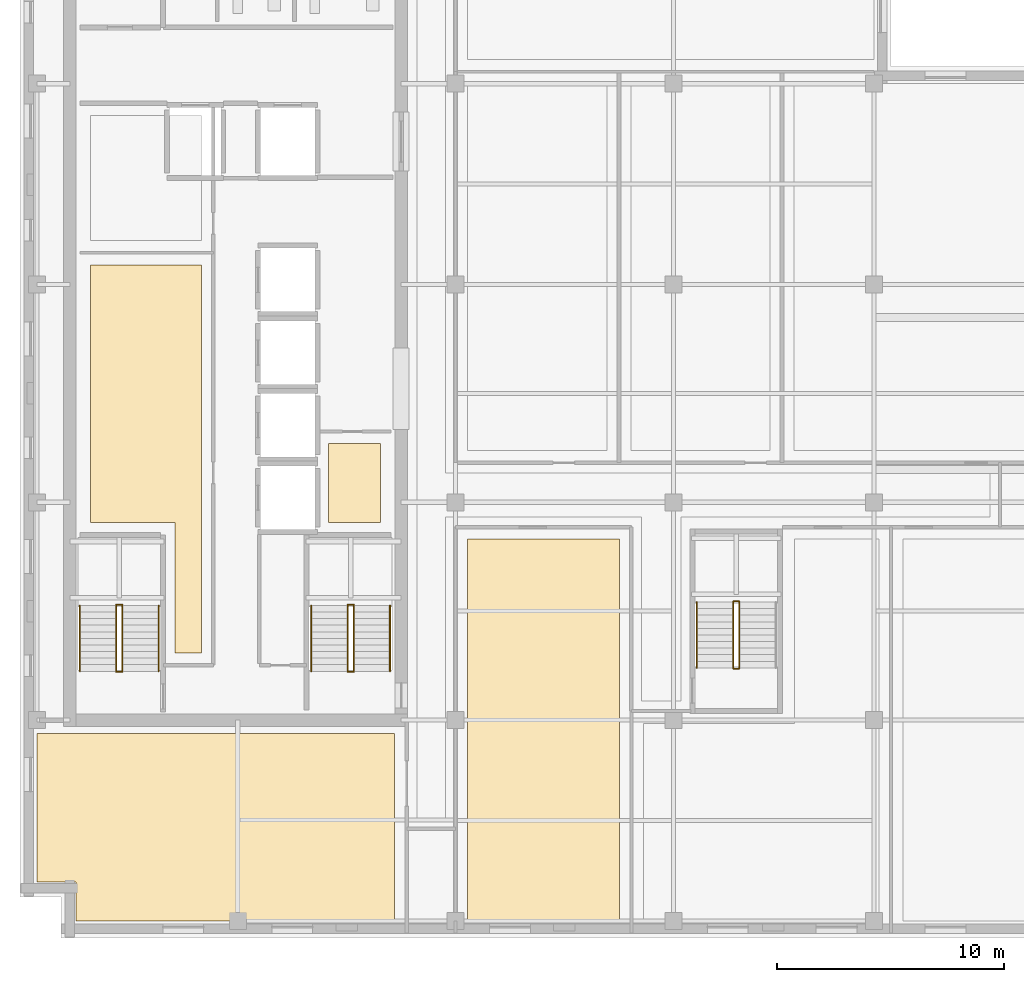
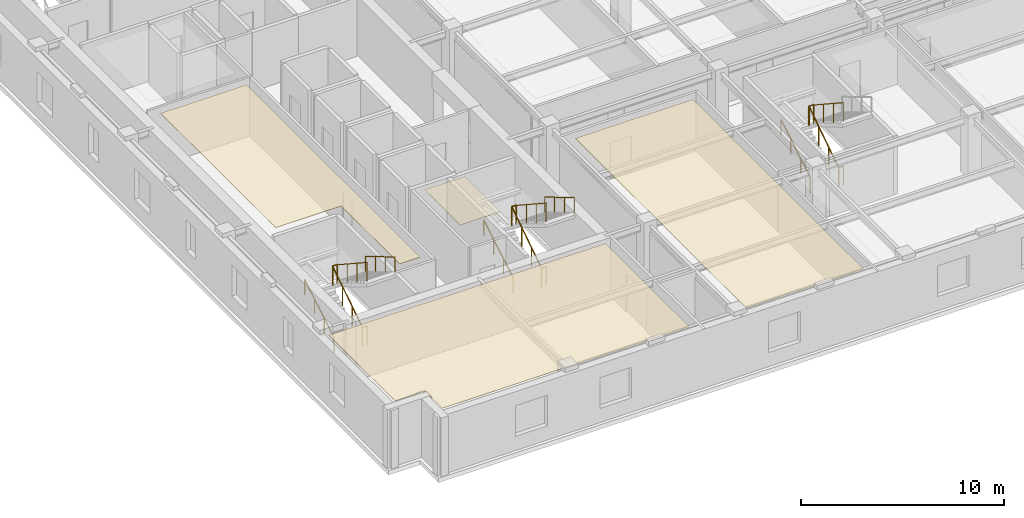
# One storey, part 7 of 10: 17 railings, 4 coverings.
"""IFC4 building model written with IfcOpenShell, lengths in metres."""

from ifc_helpers import new_model, si_unit, direction, frame, origin, origin_2d, place, context, subcontext, project, spatial, polyline, circle, outline, extrude, material, layer, layer_set, type_object, element, save


model = new_model("IFC4")

# Units and contexts
model_context = context("Model", 3, precision=1e-05, world=origin(), true_north=direction((0.0, 1.0)))
body_context = subcontext(model_context, "Body", "Model", "MODEL_VIEW")
ifc_project = project(units=[si_unit("LENGTHUNIT", "METRE"), si_unit("AREAUNIT", "SQUARE_METRE"), si_unit("VOLUMEUNIT", "CUBIC_METRE"), si_unit("PLANEANGLEUNIT", "RADIAN"), si_unit("MASSUNIT", "GRAM", prefix="KILO")], contexts=[model_context])

# Site, building, storey
site_placement = place(None, origin())
site = spatial("IfcSite", under=ifc_project, at=site_placement, CompositionType="ELEMENT")
building_placement = place(site_placement, origin())
building = spatial("IfcBuilding", under=site, at=building_placement, Name="Norrvale University Quadrangle", CompositionType="ELEMENT")
storey_placement = place(building_placement, frame((0.0, 0.0, 273.39990234375)))
storey = spatial("IfcBuildingStorey", under=building, at=storey_placement, Name="L69", CompositionType="ELEMENT", Elevation=273.39990234375)

# Coverings
ifc_material_1 = material(Name="Perforated Acoustic Mineral Ceiling")
ifc_layer_1 = layer(ifc_material_1, 0.02490234375, Name="Perforated Acoustic Mineral Ceiling")
ifc_layer_set_1 = layer_set([ifc_layer_1], Name="Perforated Acoustic Mineral Ceiling")
covering_type_1 = type_object("IfcCoveringType", Name="Covering Acoustic Ceiling 25", PredefinedType="CEILING", material=ifc_layer_set_1)
covering_1_placement = place(storey_placement, frame((0.0, 0.0, 3.51513671875)))
element("IfcCovering", 1, at=covering_1_placement, inside=storey, type_object=covering_type_1, Name="Acoustic Ceiling RM-L69-REC1", PredefinedType="CEILING", context=body_context, shape_type="SweptSolid", body=[
    extrude(outline(polyline([(3.10009765625, 18.300048828125), (3.10009765625, 29.64990234375), (8.0, 29.64990234375), (8.0, 12.550048828125), (6.830078125, 12.550048828125), (6.830078125, 18.300048828125), (3.10009765625, 18.300048828125)])), origin(), (0.0, 0.0, 1.0), 0.02490234375),
])
covering_2_placement = place(storey_placement, frame((0.0, 0.0, 3.51513671875)))
element("IfcCovering", 2, at=covering_2_placement, inside=storey, type_object=covering_type_1, Name="Acoustic Ceiling RM-L69-SW1", PredefinedType="CEILING", context=body_context, shape_type="SweptSolid", body=[
    extrude(outline(polyline([(0.75, 9.0), (16.5, 9.0), (16.5, 0.75), (2.469970703125, 0.75), (2.469970703125, 2.469970703125), (0.75, 2.469970703125), (0.75, 9.0)])), origin(), (0.0, 0.0, 1.0), 0.02490234375),
])
covering_3_placement = place(storey_placement, frame((0.0, 0.0, 3.51513671875)))
element("IfcCovering", 3, at=covering_3_placement, inside=storey, type_object=covering_type_1, Name="Acoustic Ceiling RM-L69-SE1", PredefinedType="CEILING", context=body_context, shape_type="SweptSolid", body=[
    extrude(outline(polyline([(19.72998046875, 17.570068359375), (26.419921875, 17.570068359375), (26.419921875, 0.75), (19.72998046875, 0.75), (19.72998046875, 17.570068359375)])), origin(), (0.0, 0.0, 1.0), 0.02490234375),
])
ifc_material_2 = material(Name="Polished Terrazzo Flooring")
ifc_layer_2 = layer(ifc_material_2, 0.02490234375, Name="Polished Terrazzo Flooring")
ifc_layer_set_2 = layer_set([ifc_layer_2], Name="Polished Terrazzo Flooring")
covering_type_2 = type_object("IfcCoveringType", Name="Covering Terrazzo Floor 30", PredefinedType="FLOORING", material=ifc_layer_set_2)
covering_4_placement = place(storey_placement, origin())
element("IfcCovering", 4, at=covering_4_placement, inside=storey, type_object=covering_type_2, Name="Terrazzo Flooring RM-L69-JAN", PredefinedType="FLOORING", context=body_context, shape_type="SweptSolid", body=[
    extrude(outline(polyline([(13.60009765625, 18.300048828125), (13.60009765625, 21.800048828125), (15.89990234375, 21.800048828125), (15.89990234375, 18.300048828125), (13.60009765625, 18.300048828125)])), origin(), (0.0, 0.0, 1.0), 0.025146484375),
])

# Railings
ifc_material_3 = material(Name="Steel 350W Painted Balustrade", Category="steel")
railing_type_1 = type_object("IfcRailingType", Name="Railing Stair Guard 1100", PredefinedType="GUARDRAIL", material=ifc_material_3)
for number, where, name in (
    (5, (4.239990234375, 11.719970703125, 0.0), "Stair Floor Well Guard ST-01 L69"),
    (6, (4.239990234375, 14.679931640625, 1.900146484375), "Stair Mid-Landing Slot Guard ST-01 L69"),
):
    element("IfcRailing", number, at=place(storey_placement, frame(where)), inside=storey, type_object=railing_type_1, Name=name, PredefinedType="GUARDRAIL", context=body_context, shape_type="SweptSolid", body=[
        extrude(circle(Radius=0.02392578125, at=origin_2d()), frame((0.0, 0.0, 1.1259765625), z_axis=(1.0, 0.0, 0.0), x_axis=(0.0, 1.0, 0.0)), (0.0, 0.0, 1.0), 0.27001953125),
        extrude(circle(Radius=0.02099609375, at=origin_2d()), origin(), (0.0, 0.0, 1.0), 1.101806640625),
        extrude(circle(Radius=0.02099609375, at=origin_2d()), frame((0.27001953125, 0.0, 0.0)), (0.0, 0.0, 1.0), 1.101806640625),
    ])
railing_1_placement = place(storey_placement, frame((4.239990234375, 11.75, 0.0)))
element("IfcRailing", 7, at=railing_1_placement, inside=storey, type_object=railing_type_1, Name="Stair Lower Flight Inner Guard ST-01 L69", PredefinedType="GUARDRAIL", context=body_context, shape_type="SweptSolid", body=[
    extrude(circle(Radius=0.02392578125, at=origin_2d()), frame((0.0, 0.0, 1.1259765625), z_axis=(0.0, 0.836433300813, 0.548068730445), x_axis=(-1.0, 0.0, 0.0)), (0.0, 0.0, 1.0), 3.467041015625),
    extrude(circle(Radius=0.02099609375, at=origin_2d()), origin(), (0.0, 0.0, 1.0), 1.101806640625),
    extrude(circle(Radius=0.02099609375, at=origin_2d()), frame((0.0, 0.966552734375, 0.63330078125)), (0.0, 0.0, 1.0), 1.101806640625),
    extrude(circle(Radius=0.02099609375, at=origin_2d()), frame((0.0, 1.933349609375, 1.266845703125)), (0.0, 0.0, 1.0), 1.101806640625),
    extrude(circle(Radius=0.02099609375, at=origin_2d()), frame((0.0, 2.89990234375, 1.900146484375)), (0.0, 0.0, 1.0), 1.101806640625),
])
railing_2_placement = place(storey_placement, frame((4.510009765625, 14.64990234375, 1.900146484375)))
element("IfcRailing", 8, at=railing_2_placement, inside=storey, type_object=railing_type_1, Name="Stair Upper Flight Inner Guard ST-01 L69", PredefinedType="GUARDRAIL", context=body_context, shape_type="SweptSolid", body=[
    extrude(circle(Radius=0.02392578125, at=origin_2d()), frame((0.0, 0.0, 1.1259765625), z_axis=(0.0, -0.836465582154, 0.548019461216), x_axis=(1.0, 0.0, 0.0)), (0.0, 0.0, 1.0), 3.466796875),
    extrude(circle(Radius=0.02099609375, at=origin_2d()), origin(), (0.0, 0.0, 1.0), 1.101806640625),
    extrude(circle(Radius=0.02099609375, at=origin_2d()), frame((0.0, -0.966552734375, 0.63330078125)), (0.0, 0.0, 1.0), 1.101806640625),
    extrude(circle(Radius=0.02099609375, at=origin_2d()), frame((0.0, -1.933349609375, 1.2666015625)), (0.0, 0.0, 1.0), 1.101806640625),
    extrude(circle(Radius=0.02099609375, at=origin_2d()), frame((0.0, -2.89990234375, 1.89990234375)), (0.0, 0.0, 1.0), 1.101806640625),
])
for number, where, name in (
    (9, (14.43994140625, 11.719970703125, 0.0), "Stair Floor Well Guard ST-03 L69"),
    (10, (14.43994140625, 14.679931640625, 1.900146484375), "Stair Mid-Landing Slot Guard ST-03 L69"),
):
    element("IfcRailing", number, at=place(storey_placement, frame(where)), inside=storey, type_object=railing_type_1, Name=name, PredefinedType="GUARDRAIL", context=body_context, shape_type="SweptSolid", body=[
        extrude(circle(Radius=0.02392578125, at=origin_2d()), frame((0.0, 0.0, 1.1259765625), z_axis=(1.0, 0.0, 0.0), x_axis=(0.0, 1.0, 0.0)), (0.0, 0.0, 1.0), 0.27001953125),
        extrude(circle(Radius=0.02099609375, at=origin_2d()), origin(), (0.0, 0.0, 1.0), 1.101806640625),
        extrude(circle(Radius=0.02099609375, at=origin_2d()), frame((0.27001953125, 0.0, 0.0)), (0.0, 0.0, 1.0), 1.101806640625),
    ])
railing_3_placement = place(storey_placement, frame((14.43994140625, 11.75, 0.0)))
element("IfcRailing", 11, at=railing_3_placement, inside=storey, type_object=railing_type_1, Name="Stair Lower Flight Inner Guard ST-03 L69", PredefinedType="GUARDRAIL", context=body_context, shape_type="SweptSolid", body=[
    extrude(circle(Radius=0.02392578125, at=origin_2d()), frame((0.0, 0.0, 1.1259765625), z_axis=(0.0, 0.836433300813, 0.548068730445), x_axis=(-1.0, 0.0, 0.0)), (0.0, 0.0, 1.0), 3.467041015625),
    extrude(circle(Radius=0.02099609375, at=origin_2d()), origin(), (0.0, 0.0, 1.0), 1.101806640625),
    extrude(circle(Radius=0.02099609375, at=origin_2d()), frame((0.0, 0.966552734375, 0.63330078125)), (0.0, 0.0, 1.0), 1.101806640625),
    extrude(circle(Radius=0.02099609375, at=origin_2d()), frame((0.0, 1.933349609375, 1.266845703125)), (0.0, 0.0, 1.0), 1.101806640625),
    extrude(circle(Radius=0.02099609375, at=origin_2d()), frame((0.0, 2.89990234375, 1.900146484375)), (0.0, 0.0, 1.0), 1.101806640625),
])
railing_4_placement = place(storey_placement, frame((14.7099609375, 14.64990234375, 1.900146484375)))
element("IfcRailing", 12, at=railing_4_placement, inside=storey, type_object=railing_type_1, Name="Stair Upper Flight Inner Guard ST-03 L69", PredefinedType="GUARDRAIL", context=body_context, shape_type="SweptSolid", body=[
    extrude(circle(Radius=0.02392578125, at=origin_2d()), frame((0.0, 0.0, 1.1259765625), z_axis=(0.0, -0.836465582154, 0.548019461216), x_axis=(1.0, 0.0, 0.0)), (0.0, 0.0, 1.0), 3.466796875),
    extrude(circle(Radius=0.02099609375, at=origin_2d()), origin(), (0.0, 0.0, 1.0), 1.101806640625),
    extrude(circle(Radius=0.02099609375, at=origin_2d()), frame((0.0, -0.966552734375, 0.63330078125)), (0.0, 0.0, 1.0), 1.101806640625),
    extrude(circle(Radius=0.02099609375, at=origin_2d()), frame((0.0, -1.933349609375, 1.2666015625)), (0.0, 0.0, 1.0), 1.101806640625),
    extrude(circle(Radius=0.02099609375, at=origin_2d()), frame((0.0, -2.89990234375, 1.89990234375)), (0.0, 0.0, 1.0), 1.101806640625),
])
for number, where, name in (
    (13, (31.43994140625, 11.8701171875, 0.0), "Stair Floor Well Guard ST-04 L69"),
    (14, (31.43994140625, 14.830078125, 1.900146484375), "Stair Mid-Landing Slot Guard ST-04 L69"),
):
    element("IfcRailing", number, at=place(storey_placement, frame(where)), inside=storey, type_object=railing_type_1, Name=name, PredefinedType="GUARDRAIL", context=body_context, shape_type="SweptSolid", body=[
        extrude(circle(Radius=0.02392578125, at=origin_2d()), frame((0.0, 0.0, 1.1259765625), z_axis=(1.0, 0.0, 0.0), x_axis=(0.0, 1.0, 0.0)), (0.0, 0.0, 1.0), 0.27001953125),
        extrude(circle(Radius=0.02099609375, at=origin_2d()), origin(), (0.0, 0.0, 1.0), 1.101806640625),
        extrude(circle(Radius=0.02099609375, at=origin_2d()), frame((0.27001953125, 0.0, 0.0)), (0.0, 0.0, 1.0), 1.101806640625),
    ])
railing_5_placement = place(storey_placement, frame((31.43994140625, 11.89990234375, 0.0)))
element("IfcRailing", 15, at=railing_5_placement, inside=storey, type_object=railing_type_1, Name="Stair Lower Flight Inner Guard ST-04 L69", PredefinedType="GUARDRAIL", context=body_context, shape_type="SweptSolid", body=[
    extrude(circle(Radius=0.02392578125, at=origin_2d()), frame((0.0, 0.0, 1.1259765625), z_axis=(0.0, 0.836454451266, 0.548036450392), x_axis=(-1.0, 0.0, 0.0)), (0.0, 0.0, 1.0), 3.46728515625),
    extrude(circle(Radius=0.02099609375, at=origin_2d()), origin(), (0.0, 0.0, 1.0), 1.101806640625),
    extrude(circle(Radius=0.02099609375, at=origin_2d()), frame((0.0, 0.966796875, 0.63330078125)), (0.0, 0.0, 1.0), 1.101806640625),
    extrude(circle(Radius=0.02099609375, at=origin_2d()), frame((0.0, 1.933349609375, 1.266845703125)), (0.0, 0.0, 1.0), 1.101806640625),
    extrude(circle(Radius=0.02099609375, at=origin_2d()), frame((0.0, 2.900146484375, 1.900146484375)), (0.0, 0.0, 1.0), 1.101806640625),
])
railing_6_placement = place(storey_placement, frame((31.7099609375, 14.800048828125, 1.900146484375)))
element("IfcRailing", 16, at=railing_6_placement, inside=storey, type_object=railing_type_1, Name="Stair Upper Flight Inner Guard ST-04 L69", PredefinedType="GUARDRAIL", context=body_context, shape_type="SweptSolid", body=[
    extrude(circle(Radius=0.02392578125, at=origin_2d()), frame((0.0, 0.0, 1.1259765625), z_axis=(0.0, -0.836486729621, 0.547987181573), x_axis=(1.0, 0.0, 0.0)), (0.0, 0.0, 1.0), 3.467041015625),
    extrude(circle(Radius=0.02099609375, at=origin_2d()), origin(), (0.0, 0.0, 1.0), 1.101806640625),
    extrude(circle(Radius=0.02099609375, at=origin_2d()), frame((0.0, -0.966796875, 0.63330078125)), (0.0, 0.0, 1.0), 1.101806640625),
    extrude(circle(Radius=0.02099609375, at=origin_2d()), frame((0.0, -1.933349609375, 1.2666015625)), (0.0, 0.0, 1.0), 1.101806640625),
    extrude(circle(Radius=0.02099609375, at=origin_2d()), frame((0.0, -2.900146484375, 1.89990234375)), (0.0, 0.0, 1.0), 1.101806640625),
])
ifc_material_4 = material(Name="Stainless Steel 316L Handrail", Category="steel")
railing_type_2 = type_object("IfcRailingType", Name="Railing Stair Handrail 920", PredefinedType="HANDRAIL", material=ifc_material_4)
railing_7_placement = place(storey_placement, frame((2.639892578125, 11.75, 0.1728515625)))
element("IfcRailing", 17, at=railing_7_placement, inside=storey, type_object=railing_type_2, Name="Stair Lower Flight Handrail ST-01 L69", PredefinedType="HANDRAIL", context=body_context, shape_type="SweptSolid", body=[
    extrude(circle(Radius=0.02392578125, at=origin_2d()), frame((0.0, 0.0, 0.89599609375), z_axis=(0.0, 0.859141464434, 0.511738159696), x_axis=(-1.0, 0.0, 0.0)), (0.0, 0.0, 1.0), 3.375244140625),
    extrude(circle(Radius=0.02099609375, at=origin_2d()), origin(), (0.0, 0.0, 1.0), 0.871826171875),
    extrude(circle(Radius=0.02099609375, at=origin_2d()), frame((0.0, 0.966552734375, 0.57568359375)), (0.0, 0.0, 1.0), 0.871826171875),
    extrude(circle(Radius=0.02099609375, at=origin_2d()), frame((0.0, 1.933349609375, 1.151611328125)), (0.0, 0.0, 1.0), 0.871826171875),
    extrude(circle(Radius=0.02099609375, at=origin_2d()), frame((0.0, 2.89990234375, 1.727294921875)), (0.0, 0.0, 1.0), 0.871826171875),
])
railing_8_placement = place(storey_placement, frame((6.110107421875, 14.64990234375, 2.07275390625)))
element("IfcRailing", 18, at=railing_8_placement, inside=storey, type_object=railing_type_2, Name="Stair Upper Flight Handrail ST-01 L69", PredefinedType="HANDRAIL", context=body_context, shape_type="SweptSolid", body=[
    extrude(circle(Radius=0.02392578125, at=origin_2d()), frame((0.0, 0.0, 0.89599609375), z_axis=(0.0, -0.859141464434, 0.511738159696), x_axis=(1.0, 0.0, 0.0)), (0.0, 0.0, 1.0), 3.375244140625),
    extrude(circle(Radius=0.02099609375, at=origin_2d()), origin(), (0.0, 0.0, 1.0), 0.871826171875),
    extrude(circle(Radius=0.02099609375, at=origin_2d()), frame((0.0, -0.966552734375, 0.57568359375)), (0.0, 0.0, 1.0), 0.871826171875),
    extrude(circle(Radius=0.02099609375, at=origin_2d()), frame((0.0, -1.933349609375, 1.151611328125)), (0.0, 0.0, 1.0), 0.871826171875),
    extrude(circle(Radius=0.02099609375, at=origin_2d()), frame((0.0, -2.89990234375, 1.727294921875)), (0.0, 0.0, 1.0), 0.871826171875),
])
railing_9_placement = place(storey_placement, frame((12.840087890625, 11.75, 0.1728515625)))
element("IfcRailing", 19, at=railing_9_placement, inside=storey, type_object=railing_type_2, Name="Stair Lower Flight Handrail ST-03 L69", PredefinedType="HANDRAIL", context=body_context, shape_type="SweptSolid", body=[
    extrude(circle(Radius=0.02392578125, at=origin_2d()), frame((0.0, 0.0, 0.89599609375), z_axis=(0.0, 0.859141464434, 0.511738159696), x_axis=(-1.0, 0.0, 0.0)), (0.0, 0.0, 1.0), 3.375244140625),
    extrude(circle(Radius=0.02099609375, at=origin_2d()), origin(), (0.0, 0.0, 1.0), 0.871826171875),
    extrude(circle(Radius=0.02099609375, at=origin_2d()), frame((0.0, 0.966552734375, 0.57568359375)), (0.0, 0.0, 1.0), 0.871826171875),
    extrude(circle(Radius=0.02099609375, at=origin_2d()), frame((0.0, 1.933349609375, 1.151611328125)), (0.0, 0.0, 1.0), 0.871826171875),
    extrude(circle(Radius=0.02099609375, at=origin_2d()), frame((0.0, 2.89990234375, 1.727294921875)), (0.0, 0.0, 1.0), 0.871826171875),
])
railing_10_placement = place(storey_placement, frame((16.31005859375, 14.64990234375, 2.07275390625)))
element("IfcRailing", 20, at=railing_10_placement, inside=storey, type_object=railing_type_2, Name="Stair Upper Flight Handrail ST-03 L69", PredefinedType="HANDRAIL", context=body_context, shape_type="SweptSolid", body=[
    extrude(circle(Radius=0.02392578125, at=origin_2d()), frame((0.0, 0.0, 0.89599609375), z_axis=(0.0, -0.859141464434, 0.511738159696), x_axis=(1.0, 0.0, 0.0)), (0.0, 0.0, 1.0), 3.375244140625),
    extrude(circle(Radius=0.02099609375, at=origin_2d()), origin(), (0.0, 0.0, 1.0), 0.871826171875),
    extrude(circle(Radius=0.02099609375, at=origin_2d()), frame((0.0, -0.966552734375, 0.57568359375)), (0.0, 0.0, 1.0), 0.871826171875),
    extrude(circle(Radius=0.02099609375, at=origin_2d()), frame((0.0, -1.933349609375, 1.151611328125)), (0.0, 0.0, 1.0), 0.871826171875),
    extrude(circle(Radius=0.02099609375, at=origin_2d()), frame((0.0, -2.89990234375, 1.727294921875)), (0.0, 0.0, 1.0), 0.871826171875),
])
railing_11_placement = place(storey_placement, frame((29.840087890625, 11.89990234375, 0.1728515625)))
element("IfcRailing", 21, at=railing_11_placement, inside=storey, type_object=railing_type_2, Name="Stair Lower Flight Handrail ST-04 L69", PredefinedType="HANDRAIL", context=body_context, shape_type="SweptSolid", body=[
    extrude(circle(Radius=0.02392578125, at=origin_2d()), frame((0.0, 0.0, 0.89599609375), z_axis=(0.0, 0.859160404282, 0.51170636083), x_axis=(-1.0, 0.0, 0.0)), (0.0, 0.0, 1.0), 3.37548828125),
    extrude(circle(Radius=0.02099609375, at=origin_2d()), origin(), (0.0, 0.0, 1.0), 0.871826171875),
    extrude(circle(Radius=0.02099609375, at=origin_2d()), frame((0.0, 0.966796875, 0.57568359375)), (0.0, 0.0, 1.0), 0.871826171875),
    extrude(circle(Radius=0.02099609375, at=origin_2d()), frame((0.0, 1.933349609375, 1.151611328125)), (0.0, 0.0, 1.0), 0.871826171875),
    extrude(circle(Radius=0.02099609375, at=origin_2d()), frame((0.0, 2.900146484375, 1.727294921875)), (0.0, 0.0, 1.0), 0.871826171875),
])

save(model, "model.ifc")
